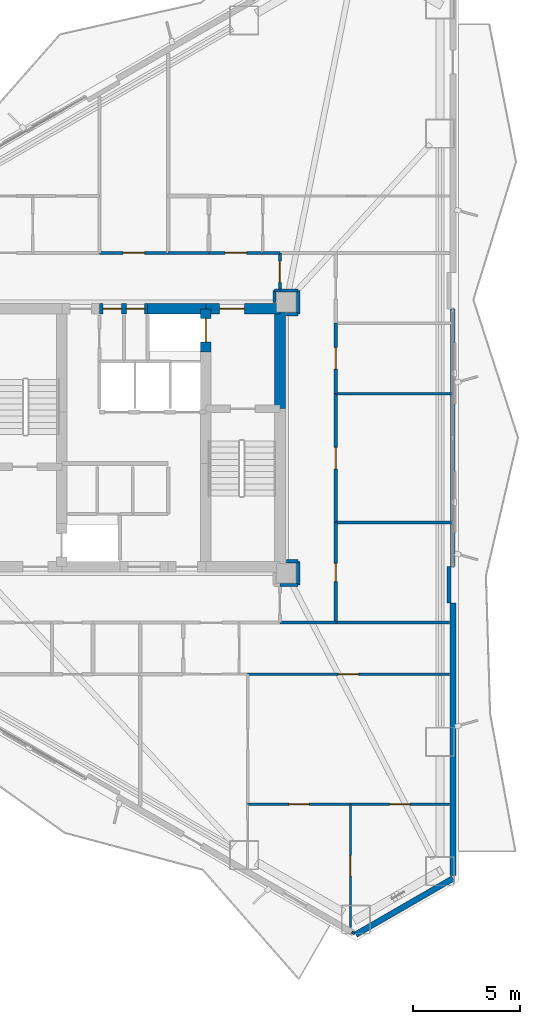
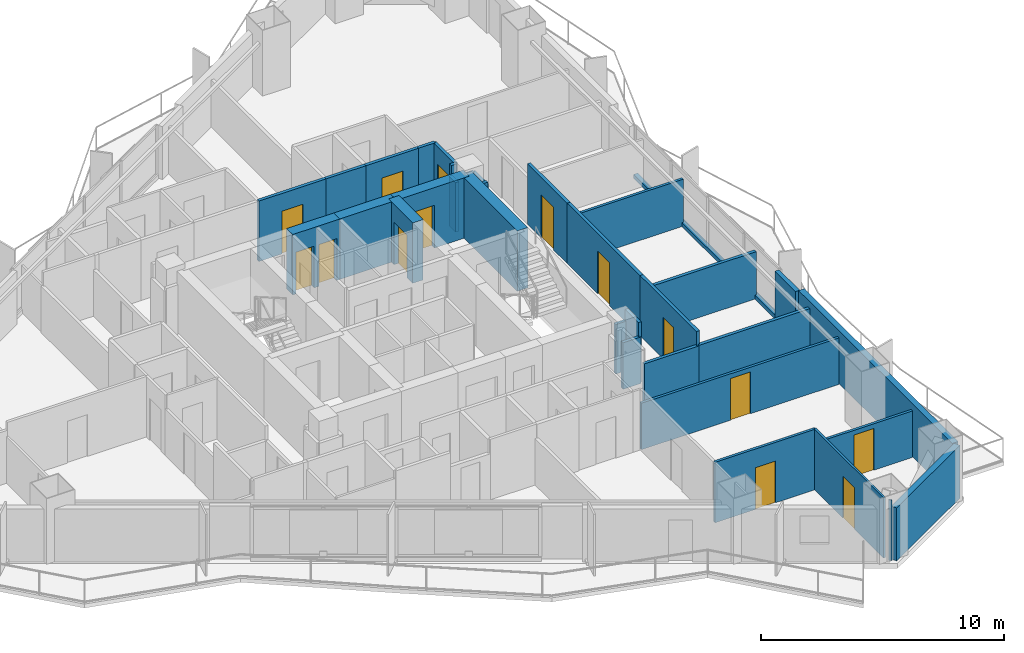
# One storey, part 15 of 19: 34 walls, 14 doors, 14 openings.
"""IFC4 building model written with IfcOpenShell, lengths in metres."""

from ifc_helpers import new_model, si_unit, direction, frame, frame_2d, origin, place, context, subcontext, project, spatial, rectangle, extrude, material, layer, layer_set, type_object, element, fill, save


model = new_model("IFC4")

# Units and contexts
model_context = context("Model", 3, precision=1e-05, world=origin(), true_north=direction((0.0, 1.0)))
body_context = subcontext(model_context, "Body", "Model", "MODEL_VIEW")
ifc_project = project(units=[si_unit("LENGTHUNIT", "METRE"), si_unit("AREAUNIT", "SQUARE_METRE"), si_unit("VOLUMEUNIT", "CUBIC_METRE"), si_unit("PLANEANGLEUNIT", "RADIAN"), si_unit("MASSUNIT", "GRAM", prefix="KILO")], contexts=[model_context])

# Site, building, storey
site_placement = place(None, origin())
site = spatial("IfcSite", under=ifc_project, at=site_placement, CompositionType="ELEMENT")
building_placement = place(site_placement, origin())
building = spatial("IfcBuilding", under=site, at=building_placement, Name="Mersakhor Tower and Convention Hall", CompositionType="ELEMENT")
storey_placement = place(building_placement, frame((0.0, 0.0, 48.89990234375)))
storey = spatial("IfcBuildingStorey", under=building, at=storey_placement, Name="L13", CompositionType="ELEMENT", Elevation=48.89990234375)

# Walls
ifc_material_1 = material(Name="Precast concrete C45/55", Category="concrete")
ifc_layer_1 = layer(ifc_material_1, 0.27490234375)
ifc_layer_set_1 = layer_set([ifc_layer_1], Name="Precast concrete C45/55")
wall_type_1 = type_object("IfcWallType", Name="WL-EXT-275", PredefinedType="SOLIDWALL", material=ifc_layer_set_1)
wall_1_placement = place(storey_placement, frame((43.85009765625, 6.240234375, 0.0), z_axis=(0.0, 0.0, 1.0), x_axis=(-0.866043601342, -0.499968479581, 0.0)))
element("IfcWall", 1, at=wall_1_placement, inside=storey, type_object=wall_type_1, Name="L13 Chamfer Braced Spandrel Wall C2", PredefinedType="SOLIDWALL", context=body_context, shape_type="SweptSolid", body=[
    extrude(rectangle(XDim=5.211181640625, YDim=0.27490234375, at=frame_2d((2.60546875, 0.0))), origin(), (0.0, 0.0, 1.0), 2.66015625),
])
wall_2_placement = place(storey_placement, frame((43.85009765625, 19.0634765625, 0.0), z_axis=(0.0, 0.0, 1.0), x_axis=(0.0, -1.0, 0.0)))
element("IfcWall", 2, at=wall_2_placement, inside=storey, type_object=wall_type_1, Name="L13 Exterior Facade Wall F2-B3", PredefinedType="SOLIDWALL", context=body_context, shape_type="SweptSolid", body=[
    extrude(rectangle(XDim=12.673095703125, YDim=0.27490234375, at=frame_2d((6.33642578125, 0.0))), origin(), (0.0, 0.0, 1.0), 2.66015625),
])
ifc_material_2 = material(Name="Precast concrete C40/50", Category="concrete")
ifc_layer_2 = layer(ifc_material_2, 0.199951171875)
ifc_layer_set_2 = layer_set([ifc_layer_2], Name="Precast concrete C40/50")
wall_type_2 = type_object("IfcWallType", Name="WL-PAR-200", PredefinedType="PARAPET", material=ifc_layer_set_2)
wall_3_placement = place(storey_placement, frame((43.85009765625, 32.736572265625, 0.0), z_axis=(0.0, 0.0, 1.0), x_axis=(0.0, -1.0, 0.0)))
element("IfcWall", 3, at=wall_3_placement, inside=storey, type_object=wall_type_2, Name="L13 Curtain Wall Upstand Sill F2-B2", PredefinedType="PARAPET", context=body_context, shape_type="SweptSolid", body=[
    extrude(rectangle(XDim=11.97314453125, YDim=0.199951171875, at=frame_2d((5.986572265625, 0.0))), origin(), (0.0, 0.0, 1.0), 0.2001953125),
])
wall_4_placement = place(storey_placement, frame((43.669921875, 20.763427734375, 0.0), z_axis=(0.0, 0.0, 1.0), x_axis=(0.0, -1.0, 0.0)))
element("IfcWall", 4, at=wall_4_placement, inside=storey, type_object=wall_type_2, Name="L13 Column Pier Cladding Wall F2-C2", PredefinedType="PARAPET", context=body_context, shape_type="SweptSolid", body=[
    extrude(rectangle(XDim=1.699951171875, YDim=0.199951171875, at=frame_2d((0.85009765625, 0.0))), origin(), (0.0, 0.0, 1.0), 2.66015625),
])

# Wall, opening, door
ifc_material_3 = material(Name="Lightweight gypsum partition", Category="other")
ifc_layer_3 = layer(ifc_material_3, 0.10009765625)
ifc_layer_set_3 = layer_set([ifc_layer_3], Name="Lightweight gypsum partition")
wall_type_3 = type_object("IfcWallType", Name="WL-PRT-100", PredefinedType="PARTITIONING", material=ifc_layer_set_3)
wall_5_placement = place(storey_placement, frame((39.080078125, 9.68994140625, 0.0), z_axis=(0.0, 0.0, 1.0), x_axis=(0.0, -1.0, 0.0)))
wall_5 = element("IfcWall", 5, at=wall_5_placement, inside=storey, type_object=wall_type_3, Name="L13 Interior Partition Wall P-120", PredefinedType="PARTITIONING", context=body_context, shape_type="SweptSolid", body=[
    extrude(rectangle(XDim=5.720458984375, YDim=0.10009765625, at=frame_2d((2.8603515625, 0.0))), origin(), (0.0, 0.0, 1.0), 3.0400390625),
])
opening_1_placement = place(wall_5_placement, frame((2.38525390625, 0.0, 0.0)))
opening_1 = element("IfcOpeningElement", 6, at=opening_1_placement, cuts=wall_5, Name="Opening RD-01", PredefinedType="OPENING", context=body_context, shape_type="SweptSolid", body=[
    extrude(rectangle(XDim=0.949951171875, YDim=2.10009765625, at=frame_2d((0.47509765625, 1.050048828125))), frame((0.0, 0.06005859375, 0.0), z_axis=(0.0, -1.0, 0.0), x_axis=(1.0, 0.0, 0.0)), (0.0, 0.0, 1.0), 0.1201171875),
])
ifc_material_4 = material(Name="Solid-core hardwood leaf in painted steel frame", Category="steel")
door_type_1 = type_object("IfcDoorType", Name="DR-INT-RM-095x210", OperationType="NOTDEFINED", PredefinedType="DOOR", material=ifc_material_4)
door_1_placement = place(opening_1_placement, origin())
door_1 = element("IfcDoor", 7, at=door_1_placement, inside=storey, type_object=door_type_1, Name="L13 L13 Flat S4 Bedroom 1 to L13 Flat S4 Study Room Door", OperationType="SINGLE_SWING_RIGHT", OverallHeight=2.10009765625, OverallWidth=0.949951171875, PredefinedType="DOOR", context=body_context, shape_type="SweptSolid", body=[
    extrude(rectangle(XDim=0.949951171875, YDim=2.10009765625, at=frame_2d((0.47509765625, 1.050048828125))), frame((0.0, 0.02490234375, 0.0), z_axis=(0.0, -1.0, 0.0), x_axis=(1.0, 0.0, 0.0)), (0.0, 0.0, 1.0), 0.050048828125),
])
fill(opening_1, door_1)

# Wall
wall_6_placement = place(storey_placement, frame((39.2724609375, 3.672119140625, 0.0), z_axis=(0.0, 0.0, 1.0), x_axis=(-0.866442544969, 0.49927679324, 0.0)))
element("IfcWall", 8, at=wall_6_placement, inside=storey, type_object=wall_type_3, Name="L13 Interior Partition Wall P-122", PredefinedType="PARTITIONING", context=body_context, shape_type="SweptSolid", body=[
    extrude(rectangle(XDim=0.142333984375, YDim=0.10009765625, at=frame_2d((0.0712890625, 0.0))), origin(), (0.0, 0.0, 1.0), 3.0400390625),
])

# Wall, opening, door
ifc_material_5 = material(Name="Gypsum board acoustic partition", Category="other")
ifc_layer_4 = layer(ifc_material_5, 0.125)
ifc_layer_set_4 = layer_set([ifc_layer_4], Name="Gypsum board acoustic partition")
wall_type_4 = type_object("IfcWallType", Name="WL-PRT-125", PredefinedType="PARTITIONING", material=ifc_layer_set_4)
wall_7_placement = place(storey_placement, frame((43.6884765625, 15.75, 0.0), z_axis=(0.0, 0.0, 1.0), x_axis=(-1.0, 0.0, 0.0)))
wall_7 = element("IfcWall", 9, at=wall_7_placement, inside=storey, type_object=wall_type_4, Name="L13 Interior Partition Wall P-093", PredefinedType="PARTITIONING", context=body_context, shape_type="SweptSolid", body=[
    extrude(rectangle(XDim=9.388427734375, YDim=0.125, at=frame_2d((4.6943359375, 0.0))), origin(), (0.0, 0.0, 1.0), 2.337646484375),
])
opening_2_placement = place(wall_7_placement, frame((4.21923828125, 0.0, 0.0)))
opening_2 = element("IfcOpeningElement", 10, at=opening_2_placement, cuts=wall_7, Name="Opening RD-01", PredefinedType="OPENING", context=body_context, shape_type="SweptSolid", body=[
    extrude(rectangle(XDim=0.949951171875, YDim=2.10009765625, at=frame_2d((0.47509765625, 1.050048828125))), frame((0.0, 0.072509765625, 0.0), z_axis=(0.0, -1.0, 0.0), x_axis=(1.0, 0.0, 0.0)), (0.0, 0.0, 1.0), 0.14501953125),
])
door_2_placement = place(opening_2_placement, origin())
door_2 = element("IfcDoor", 11, at=door_2_placement, inside=storey, type_object=door_type_1, Name="L13 L13 Flat S4 Kitchen to L13 Flat S4 Dining Room Door", OperationType="SINGLE_SWING_RIGHT", OverallHeight=2.10009765625, OverallWidth=0.949951171875, PredefinedType="DOOR", context=body_context, shape_type="SweptSolid", body=[
    extrude(rectangle(XDim=0.949951171875, YDim=2.10009765625, at=frame_2d((0.47509765625, 1.050048828125))), frame((0.0, 0.02490234375, 0.0), z_axis=(0.0, -1.0, 0.0), x_axis=(1.0, 0.0, 0.0)), (0.0, 0.0, 1.0), 0.050048828125),
])
fill(opening_2, door_2)

# Wall
wall_8_placement = place(storey_placement, frame((43.81396484375, 28.800048828125, 0.0), z_axis=(0.0, 0.0, 1.0), x_axis=(-1.0, 0.0, 0.0)))
element("IfcWall", 12, at=wall_8_placement, inside=storey, type_object=wall_type_4, Name="L13 Interior Partition Wall P-107", PredefinedType="PARTITIONING", context=body_context, shape_type="SweptSolid", body=[
    extrude(rectangle(XDim=5.4140625, YDim=0.125, at=frame_2d((2.70703125, 0.0))), origin(), (0.0, 0.0, 1.0), 2.364990234375),
])

# Wall, opening, door
wall_9_placement = place(storey_placement, frame((34.300048828125, 9.68994140625, 0.0), z_axis=(0.0, 0.0, 1.0), x_axis=(1.0, 0.0, 0.0)))
wall_9 = element("IfcWall", 13, at=wall_9_placement, inside=storey, type_object=wall_type_4, Name="L13 Interior Partition Wall P-119", PredefinedType="PARTITIONING", context=body_context, shape_type="SweptSolid", body=[
    extrude(rectangle(XDim=4.780029296875, YDim=0.125, at=frame_2d((2.39013671875, 0.0))), origin(), (0.0, 0.0, 1.0), 3.0400390625),
])
opening_3_placement = place(wall_9_placement, frame((1.9150390625, 0.0, 0.0)))
opening_3 = element("IfcOpeningElement", 14, at=opening_3_placement, cuts=wall_9, Name="Opening RD-01", PredefinedType="OPENING", context=body_context, shape_type="SweptSolid", body=[
    extrude(rectangle(XDim=0.949951171875, YDim=2.10009765625, at=frame_2d((0.47509765625, 1.050048828125))), frame((0.0, 0.072509765625, 0.0), z_axis=(0.0, -1.0, 0.0), x_axis=(1.0, 0.0, 0.0)), (0.0, 0.0, 1.0), 0.14501953125),
])
door_3_placement = place(opening_3_placement, origin())
door_3 = element("IfcDoor", 15, at=door_3_placement, inside=storey, type_object=door_type_1, Name="L13 L13 Flat S4 Bedroom 1 to L13 Flat S4 Dining Room Door", OperationType="SINGLE_SWING_LEFT", OverallHeight=2.10009765625, OverallWidth=0.949951171875, PredefinedType="DOOR", context=body_context, shape_type="SweptSolid", body=[
    extrude(rectangle(XDim=0.949951171875, YDim=2.10009765625, at=frame_2d((0.47509765625, 1.050048828125))), frame((0.0, 0.02490234375, 0.0), z_axis=(0.0, -1.0, 0.0), x_axis=(1.0, 0.0, 0.0)), (0.0, 0.0, 1.0), 0.050048828125),
])
fill(opening_3, door_3)

wall_10_placement = place(storey_placement, frame((39.080078125, 9.68994140625, 0.0), z_axis=(0.0, 0.0, 1.0), x_axis=(1.0, 0.0, 0.0)))
wall_10 = element("IfcWall", 16, at=wall_10_placement, inside=storey, type_object=wall_type_4, Name="L13 Interior Partition Wall P-121", PredefinedType="PARTITIONING", context=body_context, shape_type="SweptSolid", body=[
    extrude(rectangle(XDim=4.6083984375, YDim=0.125, at=frame_2d((2.30419921875, 0.0))), origin(), (0.0, 0.0, 1.0), 2.337646484375),
])
opening_4_placement = place(wall_10_placement, frame((1.8291015625, 0.0, 0.0)))
opening_4 = element("IfcOpeningElement", 17, at=opening_4_placement, cuts=wall_10, Name="Opening RD-01", PredefinedType="OPENING", context=body_context, shape_type="SweptSolid", body=[
    extrude(rectangle(XDim=0.949951171875, YDim=2.10009765625, at=frame_2d((0.47509765625, 1.050048828125))), frame((0.0, 0.072509765625, 0.0), z_axis=(0.0, -1.0, 0.0), x_axis=(1.0, 0.0, 0.0)), (0.0, 0.0, 1.0), 0.14501953125),
])
door_4_placement = place(opening_4_placement, origin())
door_4 = element("IfcDoor", 18, at=door_4_placement, inside=storey, type_object=door_type_1, Name="L13 L13 Flat S4 Study Room to L13 Flat S4 Dining Room Door", OperationType="SINGLE_SWING_RIGHT", OverallHeight=2.10009765625, OverallWidth=0.949951171875, PredefinedType="DOOR", context=body_context, shape_type="SweptSolid", body=[
    extrude(rectangle(XDim=0.949951171875, YDim=2.10009765625, at=frame_2d((0.47509765625, 1.050048828125))), frame((0.0, 0.02490234375, 0.0), z_axis=(0.0, -1.0, 0.0), x_axis=(1.0, 0.0, 0.0)), (0.0, 0.0, 1.0), 0.050048828125),
])
fill(opening_4, door_4)

ifc_material_6 = material(Name="Fire-rated gypsum board stud partition", Category="other")
ifc_layer_5 = layer(ifc_material_6, 0.14990234375)
ifc_layer_set_5 = layer_set([ifc_layer_5], Name="Fire-rated gypsum board stud partition")
wall_type_5 = type_object("IfcWallType", Name="WL-PRT-150", PredefinedType="PARTITIONING", material=ifc_layer_set_5)
wall_11_placement = place(storey_placement, frame((27.39990234375, 35.35009765625, 0.0), z_axis=(0.0, 0.0, 1.0), x_axis=(1.0, 0.0, 0.0)))
wall_11 = element("IfcWall", 19, at=wall_11_placement, inside=storey, type_object=wall_type_5, Name="L13 Interior Partition Wall P-041", PredefinedType="PARTITIONING", context=body_context, shape_type="SweptSolid", body=[
    extrude(rectangle(XDim=3.2001953125, YDim=0.14990234375, at=frame_2d((1.60009765625, 0.0))), origin(), (0.0, 0.0, 1.0), 3.0400390625),
])
opening_5_placement = place(wall_11_placement, frame((1.10009765625, 0.0, 0.0)))
opening_5 = element("IfcOpeningElement", 20, at=opening_5_placement, cuts=wall_11, Name="Opening FD-01", PredefinedType="OPENING", context=body_context, shape_type="SweptSolid", body=[
    extrude(rectangle(XDim=1.0, YDim=2.14990234375, at=frame_2d((0.5, 1.074951171875))), frame((0.0, 0.0849609375, 0.0), z_axis=(0.0, -1.0, 0.0), x_axis=(1.0, 0.0, 0.0)), (0.0, 0.0, 1.0), 0.169921875),
])
ifc_material_7 = material(Name="Fire-rated hardwood leaf and painted steel frame", Category="steel")
door_type_2 = type_object("IfcDoorType", Name="DR-INT-FLT-100x215", OperationType="NOTDEFINED", PredefinedType="DOOR", material=ifc_material_7)
door_5_placement = place(opening_5_placement, origin())
door_5 = element("IfcDoor", 21, at=door_5_placement, inside=storey, type_object=door_type_2, Name="L13 Residential Ring Corridor to L13 North Wing Quiet Study Room Door", OperationType="SINGLE_SWING_LEFT", OverallHeight=2.14990234375, OverallWidth=1.0, PredefinedType="DOOR", context=body_context, shape_type="SweptSolid", body=[
    extrude(rectangle(XDim=1.0, YDim=2.14990234375, at=frame_2d((0.5, 1.074951171875))), frame((0.0, 0.02490234375, 0.0), z_axis=(0.0, -1.0, 0.0), x_axis=(1.0, 0.0, 0.0)), (0.0, 0.0, 1.0), 0.050048828125),
])
fill(opening_5, door_5)

# Wall
wall_12_placement = place(storey_placement, frame((30.60009765625, 35.35009765625, 0.0), z_axis=(0.0, 0.0, 1.0), x_axis=(1.0, 0.0, 0.0)))
element("IfcWall", 22, at=wall_12_placement, inside=storey, type_object=wall_type_5, Name="L13 Interior Partition Wall P-042", PredefinedType="PARTITIONING", context=body_context, shape_type="SweptSolid", body=[
    extrude(rectangle(XDim=1.89990234375, YDim=0.14990234375, at=frame_2d((0.949951171875, 0.0))), origin(), (0.0, 0.0, 1.0), 3.0400390625),
])

# Wall, opening, door
wall_13_placement = place(storey_placement, frame((32.5, 35.35009765625, 0.0), z_axis=(0.0, 0.0, 1.0), x_axis=(1.0, 0.0, 0.0)))
wall_13 = element("IfcWall", 23, at=wall_13_placement, inside=storey, type_object=wall_type_5, Name="L13 Interior Partition Wall P-043", PredefinedType="PARTITIONING", context=body_context, shape_type="SweptSolid", body=[
    extrude(rectangle(XDim=2.5, YDim=0.14990234375, at=frame_2d((1.25, 0.0))), origin(), (0.0, 0.0, 1.0), 3.0400390625),
])
opening_6_placement = place(wall_13_placement, frame((0.75, 0.0, 0.0)))
opening_6 = element("IfcOpeningElement", 24, at=opening_6_placement, cuts=wall_13, Name="Opening FD-01", PredefinedType="OPENING", context=body_context, shape_type="SweptSolid", body=[
    extrude(rectangle(XDim=1.0, YDim=2.14990234375, at=frame_2d((0.5, 1.074951171875))), frame((0.0, 0.0849609375, 0.0), z_axis=(0.0, -1.0, 0.0), x_axis=(1.0, 0.0, 0.0)), (0.0, 0.0, 1.0), 0.169921875),
])
door_6_placement = place(opening_6_placement, origin())
door_6 = element("IfcDoor", 25, at=door_6_placement, inside=storey, type_object=door_type_2, Name="L13 Apartment Entrance Door (Residential Ring Corridor to L13 Flat N2 Apartment Hall)", OperationType="SINGLE_SWING_LEFT", OverallHeight=2.14990234375, OverallWidth=1.0, PredefinedType="DOOR", context=body_context, shape_type="SweptSolid", body=[
    extrude(rectangle(XDim=1.0, YDim=2.14990234375, at=frame_2d((0.5, 1.074951171875))), frame((0.0, 0.02490234375, 0.0), z_axis=(0.0, -1.0, 0.0), x_axis=(1.0, 0.0, 0.0)), (0.0, 0.0, 1.0), 0.050048828125),
])
fill(opening_6, door_6)

# Wall
wall_14_placement = place(storey_placement, frame((35.0, 35.35009765625, 0.0), z_axis=(0.0, 0.0, 1.0), x_axis=(1.0, 0.0, 0.0)))
element("IfcWall", 26, at=wall_14_placement, inside=storey, type_object=wall_type_5, Name="L13 Interior Partition Wall P-044", PredefinedType="PARTITIONING", context=body_context, shape_type="SweptSolid", body=[
    extrude(rectangle(XDim=0.800048828125, YDim=0.14990234375, at=frame_2d((0.39990234375, 0.0))), origin(), (0.0, 0.0, 1.0), 3.0400390625),
])

# Wall, opening, door
wall_15_placement = place(storey_placement, frame((35.800048828125, 35.35009765625, 0.0), z_axis=(0.0, 0.0, 1.0), x_axis=(0.0, -1.0, 0.0)))
wall_15 = element("IfcWall", 27, at=wall_15_placement, inside=storey, type_object=wall_type_5, Name="L13 Interior Partition Wall P-045", PredefinedType="PARTITIONING", context=body_context, shape_type="SweptSolid", body=[
    extrude(rectangle(XDim=1.75, YDim=0.14990234375, at=frame_2d((0.875, 0.0))), origin(), (0.0, 0.0, 1.0), 3.0400390625),
])
opening_7_placement = place(wall_15_placement, frame((0.375, 0.0, 0.0)))
opening_7 = element("IfcOpeningElement", 28, at=opening_7_placement, cuts=wall_15, Name="Opening FD-01", PredefinedType="OPENING", context=body_context, shape_type="SweptSolid", body=[
    extrude(rectangle(XDim=1.0, YDim=2.14990234375, at=frame_2d((0.5, 1.074951171875))), frame((0.0, 0.0849609375, 0.0), z_axis=(0.0, -1.0, 0.0), x_axis=(1.0, 0.0, 0.0)), (0.0, 0.0, 1.0), 0.169921875),
])
door_7_placement = place(opening_7_placement, origin())
door_7 = element("IfcDoor", 29, at=door_7_placement, inside=storey, type_object=door_type_2, Name="L13 Ring Corridor Fire Door", OperationType="SINGLE_SWING_LEFT", OverallHeight=2.14990234375, OverallWidth=1.0, PredefinedType="DOOR", context=body_context, shape_type="SweptSolid", body=[
    extrude(rectangle(XDim=1.0, YDim=2.14990234375, at=frame_2d((0.5, 1.074951171875))), frame((0.0, 0.02490234375, 0.0), z_axis=(0.0, -1.0, 0.0), x_axis=(1.0, 0.0, 0.0)), (0.0, 0.0, 1.0), 0.050048828125),
])
fill(opening_7, door_7)

# Walls
wall_16_placement = place(storey_placement, frame((35.800048828125, 33.60009765625, 0.0), z_axis=(0.0, 0.0, 1.0), x_axis=(-1.0, 0.0, 0.0)))
element("IfcWall", 30, at=wall_16_placement, inside=storey, type_object=wall_type_5, Name="L13 Interior Partition Wall P-046", PredefinedType="PARTITIONING", context=body_context, shape_type="SweptSolid", body=[
    extrude(rectangle(XDim=0.25, YDim=0.14990234375, at=frame_2d((0.125, 0.0))), origin(), (0.0, 0.0, 1.0), 3.0400390625),
])
wall_17_placement = place(storey_placement, frame((35.550048828125, 33.60009765625, 0.0), z_axis=(0.0, 0.0, 1.0), x_axis=(0.0, -1.0, 0.0)))
element("IfcWall", 31, at=wall_17_placement, inside=storey, type_object=wall_type_5, Name="L13 Interior Partition Wall P-047", PredefinedType="PARTITIONING", context=body_context, shape_type="SweptSolid", body=[
    extrude(rectangle(XDim=0.550048828125, YDim=0.14990234375, at=frame_2d((0.27490234375, 0.0))), origin(), (0.0, 0.0, 1.0), 2.48828125),
])
for number, where, z_axis, x_axis, name in (
    (32, (36.64990234375, 21.0, 0.0), (0.0, 0.0, 1.0), (-1.0, 0.0, 0.0), "L13 Interior Partition Wall P-054"),
    (33, (36.10009765625, 32.5, 0.0), (0.0, 0.0, 1.0), (1.0, 0.0, 0.0), "L13 Interior Partition Wall P-055"),
):
    element("IfcWall", number, at=place(storey_placement, frame(where, z_axis=z_axis, x_axis=x_axis)), inside=storey, type_object=wall_type_5, Name=name, PredefinedType="PARTITIONING", context=body_context, shape_type="SweptSolid", body=[
        extrude(rectangle(XDim=0.5498046875, YDim=0.14990234375, at=frame_2d((0.27490234375, 0.0))), origin(), (0.0, 0.0, 1.0), 2.48828125),
    ])
wall_18_placement = place(storey_placement, frame((36.64990234375, 32.5, 0.0), z_axis=(0.0, 0.0, 1.0), x_axis=(0.0, 1.0, 0.0)))
element("IfcWall", 34, at=wall_18_placement, inside=storey, type_object=wall_type_5, Name="L13 Interior Partition Wall P-056", PredefinedType="PARTITIONING", context=body_context, shape_type="SweptSolid", body=[
    extrude(rectangle(XDim=1.10009765625, YDim=0.14990234375, at=frame_2d((0.550048828125, 0.0))), origin(), (0.0, 0.0, 1.0), 2.337646484375),
])
wall_19_placement = place(storey_placement, frame((36.64990234375, 33.60009765625, 0.0), z_axis=(0.0, 0.0, 1.0), x_axis=(-1.0, 0.0, 0.0)))
element("IfcWall", 35, at=wall_19_placement, inside=storey, type_object=wall_type_5, Name="L13 Interior Partition Wall P-057", PredefinedType="PARTITIONING", context=body_context, shape_type="SweptSolid", body=[
    extrude(rectangle(XDim=0.849853515625, YDim=0.14990234375, at=frame_2d((0.4248046875, 0.0))), origin(), (0.0, 0.0, 1.0), 2.337646484375),
])

# Wall, opening, door
wall_20_placement = place(storey_placement, frame((38.39990234375, 32.080078125, 0.0), z_axis=(0.0, 0.0, 1.0), x_axis=(0.0, -1.0, 0.0)))
wall_20 = element("IfcWall", 36, at=wall_20_placement, inside=storey, type_object=wall_type_5, Name="L13 Interior Partition Wall P-060", PredefinedType="PARTITIONING", context=body_context, shape_type="SweptSolid", body=[
    extrude(rectangle(XDim=3.280029296875, YDim=0.14990234375, at=frame_2d((1.64013671875, 0.0))), origin(), (0.0, 0.0, 1.0), 3.0400390625),
])
opening_8_placement = place(wall_20_placement, frame((1.139892578125, 0.0, 0.0)))
opening_8 = element("IfcOpeningElement", 37, at=opening_8_placement, cuts=wall_20, Name="Opening FD-01", PredefinedType="OPENING", context=body_context, shape_type="SweptSolid", body=[
    extrude(rectangle(XDim=1.0, YDim=2.14990234375, at=frame_2d((0.5, 1.074951171875))), frame((0.0, 0.0849609375, 0.0), z_axis=(0.0, -1.0, 0.0), x_axis=(1.0, 0.0, 0.0)), (0.0, 0.0, 1.0), 0.169921875),
])
door_8_placement = place(opening_8_placement, origin())
door_8 = element("IfcDoor", 38, at=door_8_placement, inside=storey, type_object=door_type_2, Name="L13 Residential Ring East Corridor to L13 East Wing Shared Study Room Door", OperationType="SINGLE_SWING_RIGHT", OverallHeight=2.14990234375, OverallWidth=1.0, PredefinedType="DOOR", context=body_context, shape_type="SweptSolid", body=[
    extrude(rectangle(XDim=1.0, YDim=2.14990234375, at=frame_2d((0.5, 1.074951171875))), frame((0.0, 0.02490234375, 0.0), z_axis=(0.0, -1.0, 0.0), x_axis=(1.0, 0.0, 0.0)), (0.0, 0.0, 1.0), 0.050048828125),
])
fill(opening_8, door_8)

wall_21_placement = place(storey_placement, frame((38.39990234375, 28.800048828125, 0.0), z_axis=(0.0, 0.0, 1.0), x_axis=(0.0, -1.0, 0.0)))
wall_21 = element("IfcWall", 39, at=wall_21_placement, inside=storey, type_object=wall_type_5, Name="L13 Interior Partition Wall P-061", PredefinedType="PARTITIONING", context=body_context, shape_type="SweptSolid", body=[
    extrude(rectangle(XDim=6.0, YDim=0.14990234375, at=frame_2d((3.0, 0.0))), origin(), (0.0, 0.0, 1.0), 3.0400390625),
])
opening_9_placement = place(wall_21_placement, frame((2.5, 0.0, 0.0)))
opening_9 = element("IfcOpeningElement", 40, at=opening_9_placement, cuts=wall_21, Name="Opening FD-01", PredefinedType="OPENING", context=body_context, shape_type="SweptSolid", body=[
    extrude(rectangle(XDim=1.0, YDim=2.14990234375, at=frame_2d((0.5, 1.074951171875))), frame((0.0, 0.0849609375, 0.0), z_axis=(0.0, -1.0, 0.0), x_axis=(1.0, 0.0, 0.0)), (0.0, 0.0, 1.0), 0.169921875),
])
door_9_placement = place(opening_9_placement, origin())
door_9 = element("IfcDoor", 41, at=door_9_placement, inside=storey, type_object=door_type_2, Name="L13 Residential Ring East Corridor to L13 East Wing Residents Tea Lounge Door", OperationType="SINGLE_SWING_RIGHT", OverallHeight=2.14990234375, OverallWidth=1.0, PredefinedType="DOOR", context=body_context, shape_type="SweptSolid", body=[
    extrude(rectangle(XDim=1.0, YDim=2.14990234375, at=frame_2d((0.5, 1.074951171875))), frame((0.0, 0.02490234375, 0.0), z_axis=(0.0, -1.0, 0.0), x_axis=(1.0, 0.0, 0.0)), (0.0, 0.0, 1.0), 0.050048828125),
])
fill(opening_9, door_9)

wall_22_placement = place(storey_placement, frame((38.39990234375, 22.800048828125, 0.0), z_axis=(0.0, 0.0, 1.0), x_axis=(0.0, -1.0, 0.0)))
wall_22 = element("IfcWall", 42, at=wall_22_placement, inside=storey, type_object=wall_type_5, Name="L13 Interior Partition Wall P-062", PredefinedType="PARTITIONING", context=body_context, shape_type="SweptSolid", body=[
    extrude(rectangle(XDim=4.650146484375, YDim=0.14990234375, at=frame_2d((2.3251953125, 0.0))), origin(), (0.0, 0.0, 1.0), 3.0400390625),
])
opening_10_placement = place(wall_22_placement, frame((1.89990234375, 0.0, 0.0)))
opening_10 = element("IfcOpeningElement", 43, at=opening_10_placement, cuts=wall_22, Name="Opening SVD-01", PredefinedType="OPENING", context=body_context, shape_type="SweptSolid", body=[
    extrude(rectangle(XDim=0.85009765625, YDim=2.10009765625, at=frame_2d((0.425048828125, 1.050048828125))), frame((0.0, 0.0849609375, 0.0), z_axis=(0.0, -1.0, 0.0), x_axis=(1.0, 0.0, 0.0)), (0.0, 0.0, 1.0), 0.169921875),
])
ifc_material_8 = material(Name="Fire-rated hardwood leaf and painted steel frame", Category="steel")
door_type_3 = type_object("IfcDoorType", Name="DR-INT-SVC-085x210", OperationType="NOTDEFINED", PredefinedType="DOOR", material=ifc_material_8)
door_10_placement = place(opening_10_placement, origin())
door_10 = element("IfcDoor", 44, at=door_10_placement, inside=storey, type_object=door_type_3, Name="L13 Residential Ring East Corridor to L13 East Wing Pram and Cycle Store Room Door", OperationType="SINGLE_SWING_LEFT", OverallHeight=2.10009765625, OverallWidth=0.85009765625, PredefinedType="DOOR", context=body_context, shape_type="SweptSolid", body=[
    extrude(rectangle(XDim=0.85009765625, YDim=2.10009765625, at=frame_2d((0.425048828125, 1.050048828125))), frame((0.0, 0.02490234375, 0.0), z_axis=(0.0, -1.0, 0.0), x_axis=(1.0, 0.0, 0.0)), (0.0, 0.0, 1.0), 0.050048828125),
])
fill(opening_10, door_10)

# Walls
wall_23_placement = place(storey_placement, frame((38.39990234375, 18.14990234375, 0.0), z_axis=(0.0, 0.0, 1.0), x_axis=(-1.0, 0.0, 0.0)))
element("IfcWall", 45, at=wall_23_placement, inside=storey, type_object=wall_type_5, Name="L13 Interior Partition Wall P-063", PredefinedType="PARTITIONING", context=body_context, shape_type="SweptSolid", body=[
    extrude(rectangle(XDim=2.599853515625, YDim=0.14990234375, at=frame_2d((1.2998046875, 0.0))), origin(), (0.0, 0.0, 1.0), 2.337646484375),
])
wall_24_placement = place(storey_placement, frame((35.800048828125, 19.89990234375, 0.0), z_axis=(0.0, 0.0, 1.0), x_axis=(1.0, 0.0, 0.0)))
element("IfcWall", 46, at=wall_24_placement, inside=storey, type_object=wall_type_5, Name="L13 Interior Partition Wall P-064", PredefinedType="PARTITIONING", context=body_context, shape_type="SweptSolid", body=[
    extrude(rectangle(XDim=0.849853515625, YDim=0.14990234375, at=frame_2d((0.4248046875, 0.0))), origin(), (0.0, 0.0, 1.0), 2.337646484375),
])
wall_25_placement = place(storey_placement, frame((36.64990234375, 19.89990234375, 0.0), z_axis=(0.0, 0.0, 1.0), x_axis=(0.0, 1.0, 0.0)))
element("IfcWall", 47, at=wall_25_placement, inside=storey, type_object=wall_type_5, Name="L13 Interior Partition Wall P-065", PredefinedType="PARTITIONING", context=body_context, shape_type="SweptSolid", body=[
    extrude(rectangle(XDim=1.10009765625, YDim=0.14990234375, at=frame_2d((0.550048828125, 0.0))), origin(), (0.0, 0.0, 1.0), 3.0400390625),
])
wall_26_placement = place(storey_placement, frame((38.39990234375, 18.14990234375, 0.0), z_axis=(0.0, 0.0, 1.0), x_axis=(1.0, 0.0, 0.0)))
element("IfcWall", 48, at=wall_26_placement, inside=storey, type_object=wall_type_5, Name="L13 Interior Partition Wall P-092", PredefinedType="PARTITIONING", context=body_context, shape_type="SweptSolid", body=[
    extrude(rectangle(XDim=5.28857421875, YDim=0.14990234375, at=frame_2d((2.644287109375, 0.0))), origin(), (0.0, 0.0, 1.0), 2.364990234375),
])
wall_27_placement = place(storey_placement, frame((43.81396484375, 22.800048828125, 0.0), z_axis=(0.0, 0.0, 1.0), x_axis=(-1.0, 0.0, 0.0)))
element("IfcWall", 49, at=wall_27_placement, inside=storey, type_object=wall_type_5, Name="L13 Interior Partition Wall P-108", PredefinedType="PARTITIONING", context=body_context, shape_type="SweptSolid", body=[
    extrude(rectangle(XDim=5.4140625, YDim=0.14990234375, at=frame_2d((2.70703125, 0.0))), origin(), (0.0, 0.0, 1.0), 2.364990234375),
])

# Wall, openings, doors
ifc_material_9 = material(Name="Concrete C70/85", Category="concrete")
ifc_layer_6 = layer(ifc_material_9, 0.5)
ifc_layer_set_6 = layer_set([ifc_layer_6], Name="Concrete C70/85")
wall_type_6 = type_object("IfcWallType", Name="WL-SHR-500", PredefinedType="SHEAR", material=ifc_layer_set_6)
wall_28_placement = place(storey_placement, frame((27.39990234375, 32.75, 0.0), z_axis=(0.0, 0.0, 1.0), x_axis=(1.0, 0.0, 0.0)))
wall_28 = element("IfcWall", 50, at=wall_28_placement, inside=storey, type_object=wall_type_6, Name="L13 Core Wall CW-N2B", PredefinedType="SHEAR", context=body_context, shape_type="SweptSolid", body=[
    extrude(rectangle(XDim=2.25, YDim=0.5, at=frame_2d((1.125, 0.0))), origin(), (0.0, 0.0, 1.0), 3.0400390625),
])
opening_11_placement = place(wall_28_placement, frame((0.169921875, 0.0, 0.0)))
opening_11 = element("IfcOpeningElement", 51, at=opening_11_placement, cuts=wall_28, Name="Opening SVD-01", PredefinedType="OPENING", context=body_context, shape_type="SweptSolid", body=[
    extrude(rectangle(XDim=0.85009765625, YDim=2.10009765625, at=frame_2d((0.425048828125, 1.050048828125))), frame((0.0, 0.260009765625, 0.0), z_axis=(0.0, -1.0, 0.0), x_axis=(1.0, 0.0, 0.0)), (0.0, 0.0, 1.0), 0.52001953125),
])
opening_12_placement = place(wall_28_placement, frame((1.2548828125, 0.0, 0.0)))
opening_12 = element("IfcOpeningElement", 52, at=opening_12_placement, cuts=wall_28, Name="Opening SVD-01", PredefinedType="OPENING", context=body_context, shape_type="SweptSolid", body=[
    extrude(rectangle(XDim=0.85009765625, YDim=2.10009765625, at=frame_2d((0.425048828125, 1.050048828125))), frame((0.0, 0.260009765625, 0.0), z_axis=(0.0, -1.0, 0.0), x_axis=(1.0, 0.0, 0.0)), (0.0, 0.0, 1.0), 0.52001953125),
])
door_11_placement = place(opening_11_placement, origin())
door_11 = element("IfcDoor", 53, at=door_11_placement, inside=storey, type_object=door_type_3, Name="L13 Residential Ring Corridor to Telecoms Distribution Room Door", OperationType="SINGLE_SWING_LEFT", OverallHeight=2.10009765625, OverallWidth=0.85009765625, PredefinedType="DOOR", context=body_context, shape_type="SweptSolid", body=[
    extrude(rectangle(XDim=0.85009765625, YDim=2.10009765625, at=frame_2d((0.425048828125, 1.050048828125))), frame((0.0, 0.02490234375, 0.0), z_axis=(0.0, -1.0, 0.0), x_axis=(1.0, 0.0, 0.0)), (0.0, 0.0, 1.0), 0.050048828125),
])
fill(opening_11, door_11)
door_12_placement = place(opening_12_placement, origin())
door_12 = element("IfcDoor", 54, at=door_12_placement, inside=storey, type_object=door_type_3, Name="L13 Residential Ring Corridor to Floor Housekeeping Store Room Door", OperationType="SINGLE_SWING_RIGHT", OverallHeight=2.10009765625, OverallWidth=0.85009765625, PredefinedType="DOOR", context=body_context, shape_type="SweptSolid", body=[
    extrude(rectangle(XDim=0.85009765625, YDim=2.10009765625, at=frame_2d((0.425048828125, 1.050048828125))), frame((0.0, 0.02490234375, 0.0), z_axis=(0.0, -1.0, 0.0), x_axis=(1.0, 0.0, 0.0)), (0.0, 0.0, 1.0), 0.050048828125),
])
fill(opening_12, door_12)

# Wall
wall_29_placement = place(storey_placement, frame((29.64990234375, 32.75, 0.0), z_axis=(0.0, 0.0, 1.0), x_axis=(1.0, 0.0, 0.0)))
element("IfcWall", 55, at=wall_29_placement, inside=storey, type_object=wall_type_6, Name="L13 Core Wall CW-N3", PredefinedType="SHEAR", context=body_context, shape_type="SweptSolid", body=[
    extrude(rectangle(XDim=2.7001953125, YDim=0.5, at=frame_2d((1.35009765625, 0.0))), origin(), (0.0, 0.0, 1.0), 3.0400390625),
])

# Wall, opening, door
wall_30_placement = place(storey_placement, frame((32.35009765625, 32.75, 0.0), z_axis=(0.0, 0.0, 1.0), x_axis=(1.0, 0.0, 0.0)))
wall_30 = element("IfcWall", 56, at=wall_30_placement, inside=storey, type_object=wall_type_6, Name="L13 Core Wall CW-N4", PredefinedType="SHEAR", context=body_context, shape_type="SweptSolid", body=[
    extrude(rectangle(XDim=3.449951171875, YDim=0.5, at=frame_2d((1.72509765625, 0.0))), origin(), (0.0, 0.0, 1.0), 3.0400390625),
])
opening_13_placement = place(wall_30_placement, frame((0.64990234375, 0.0, 0.0)))
opening_13 = element("IfcOpeningElement", 57, at=opening_13_placement, cuts=wall_30, Name="Opening SD-01", PredefinedType="OPENING", context=body_context, shape_type="SweptSolid", body=[
    extrude(rectangle(XDim=1.14990234375, YDim=2.14990234375, at=frame_2d((0.574951171875, 1.074951171875))), frame((0.0, 0.260009765625, 0.0), z_axis=(0.0, -1.0, 0.0), x_axis=(1.0, 0.0, 0.0)), (0.0, 0.0, 1.0), 0.52001953125),
])
ifc_material_10 = material(Name="Fire-rated hardwood leaf and painted steel frame", Category="steel")
door_type_4 = type_object("IfcDoorType", Name="DR-INT-STAIR-115x215", OperationType="NOTDEFINED", PredefinedType="DOOR", material=ifc_material_10)
door_13_placement = place(opening_13_placement, origin())
door_13 = element("IfcDoor", 58, at=door_13_placement, inside=storey, type_object=door_type_4, Name="L13 Firefighting Lobby East Fire Door", OperationType="SINGLE_SWING_RIGHT", OverallHeight=2.14990234375, OverallWidth=1.14990234375, PredefinedType="DOOR", context=body_context, shape_type="SweptSolid", body=[
    extrude(rectangle(XDim=1.14990234375, YDim=2.14990234375, at=frame_2d((0.574951171875, 1.074951171875))), frame((0.0, 0.02490234375, 0.0), z_axis=(0.0, -1.0, 0.0), x_axis=(1.0, 0.0, 0.0)), (0.0, 0.0, 1.0), 0.050048828125),
])
fill(opening_13, door_13)

# Wall
wall_31_placement = place(storey_placement, frame((35.800048828125, 32.75, 0.0), z_axis=(0.0, 0.0, 1.0), x_axis=(0.0, -1.0, 0.0)))
element("IfcWall", 59, at=wall_31_placement, inside=storey, type_object=wall_type_6, Name="L13 Core Wall CW-E1", PredefinedType="SHEAR", context=body_context, shape_type="SweptSolid", body=[
    extrude(rectangle(XDim=4.64990234375, YDim=0.5, at=frame_2d((2.324951171875, 0.0))), origin(), (0.0, 0.0, 1.0), 3.0400390625),
])

# Wall, opening, door
wall_32_placement = place(storey_placement, frame((32.35009765625, 30.75, 0.0), z_axis=(0.0, 0.0, 1.0), x_axis=(0.0, 1.0, 0.0)))
wall_32 = element("IfcWall", 60, at=wall_32_placement, inside=storey, type_object=wall_type_6, Name="L13 Core Wall CS-E-FFL", PredefinedType="SHEAR", context=body_context, shape_type="SweptSolid", body=[
    extrude(rectangle(XDim=2.0, YDim=0.5, at=frame_2d((1.0, 0.0))), origin(), (0.0, 0.0, 1.0), 3.0400390625),
])
opening_14_placement = place(wall_32_placement, frame((0.449951171875, 0.0, 0.0)))
opening_14 = element("IfcOpeningElement", 61, at=opening_14_placement, cuts=wall_32, Name="Opening LD-FFL2", PredefinedType="OPENING", context=body_context, shape_type="SweptSolid", body=[
    extrude(rectangle(XDim=1.10009765625, YDim=2.14990234375, at=frame_2d((0.550048828125, 1.074951171875))), frame((0.0, 0.260009765625, 0.0), z_axis=(0.0, -1.0, 0.0), x_axis=(1.0, 0.0, 0.0)), (0.0, 0.0, 1.0), 0.52001953125),
])
ifc_material_11 = material(Name="Fire-rated brushed stainless steel sliding landing door", Category="steel")
door_type_5 = type_object("IfcDoorType", Name="DR-LIFT-SLD-110x215", OperationType="NOTDEFINED", PredefinedType="DOOR", material=ifc_material_11)
door_14_placement = place(opening_14_placement, origin())
door_14 = element("IfcDoor", 62, at=door_14_placement, inside=storey, type_object=door_type_5, Name="L13 Firefighting Lift Landing Door LD-FFL2", OperationType="SLIDING_TO_LEFT", OverallHeight=2.14990234375, OverallWidth=1.10009765625, PredefinedType="DOOR", context=body_context, shape_type="SweptSolid", body=[
    extrude(rectangle(XDim=1.10009765625, YDim=2.14990234375, at=frame_2d((0.550048828125, 1.074951171875))), frame((0.0, 0.02490234375, 0.0), z_axis=(0.0, -1.0, 0.0), x_axis=(1.0, 0.0, 0.0)), (0.0, 0.0, 1.0), 0.050048828125),
])
fill(opening_14, door_14)

save(model, "model.ifc")
